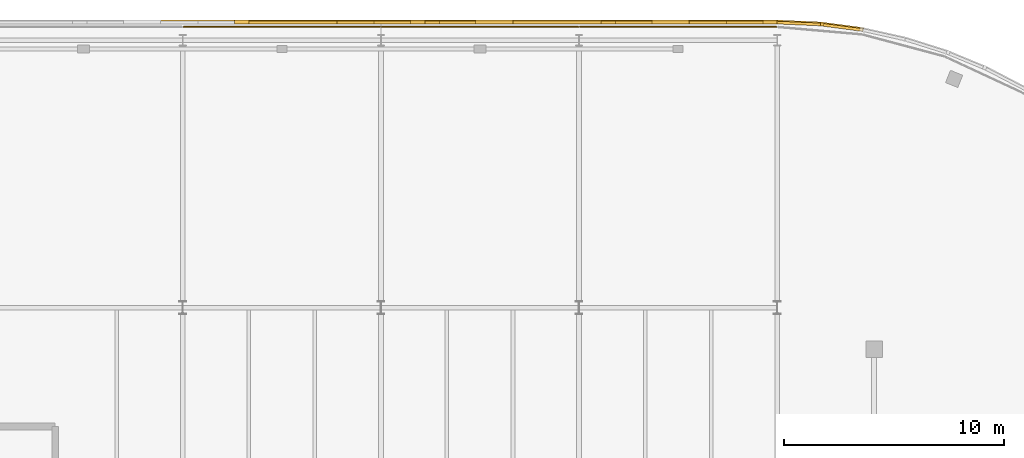
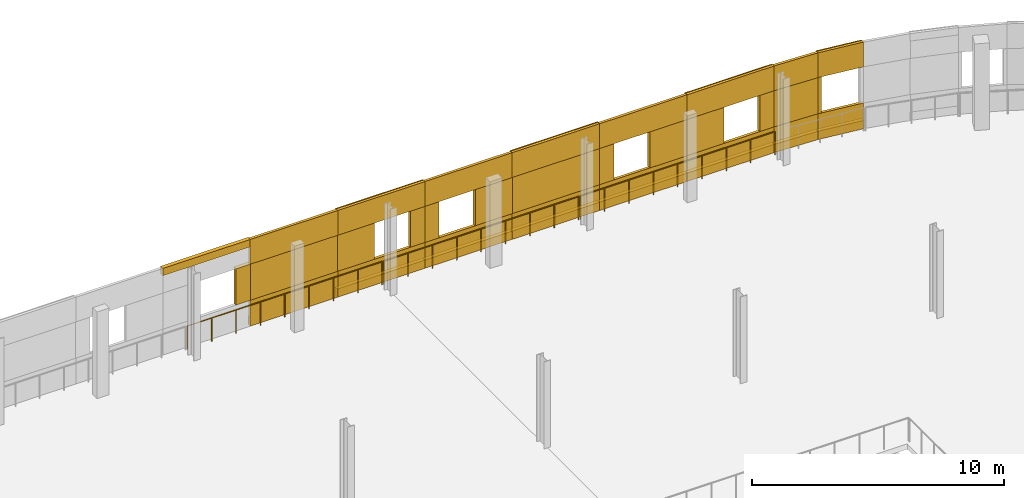
# One storey, part 140 of 140: 42 coverings, 3 railings.
"""IFC4 building model written with IfcOpenShell, lengths in metres."""

from ifc_helpers import new_model, si_unit, direction, frame, origin, origin_2d, place, context, subcontext, project, spatial, rectangle, circle, extrude, material, layer, layer_set, type_object, element, save


model = new_model("IFC4")

# Units and contexts
model_context = context("Model", 3, precision=1e-05, world=origin(), true_north=direction((0.0, 1.0)))
body_context = subcontext(model_context, "Body", "Model", "MODEL_VIEW")
ifc_project = project(units=[si_unit("LENGTHUNIT", "METRE"), si_unit("AREAUNIT", "SQUARE_METRE"), si_unit("VOLUMEUNIT", "CUBIC_METRE"), si_unit("PLANEANGLEUNIT", "RADIAN"), si_unit("MASSUNIT", "GRAM", prefix="KILO")], contexts=[model_context])

# Site, building, storey
site_placement = place(None, origin())
site = spatial("IfcSite", under=ifc_project, at=site_placement, CompositionType="ELEMENT")
building_placement = place(site_placement, origin())
building = spatial("IfcBuilding", under=site, at=building_placement, Name="Deido Ridge Mobility Hub", CompositionType="ELEMENT")
storey_placement = place(building_placement, origin())
storey = spatial("IfcBuildingStorey", under=building, at=storey_placement, Name="L00", CompositionType="ELEMENT", Elevation=0.0)

# Coverings
ifc_material_1 = material(Name="Fired clay brick masonry", Category="masonry")
ifc_layer = layer(ifc_material_1, 0.114990234375, Name="Fired clay brick masonry")
ifc_layer_set = layer_set([ifc_layer], Name="Fired clay brick masonry")
covering_type = type_object("IfcCoveringType", Name="COV-BRK-SCREEN-115", PredefinedType="CLADDING", material=ifc_layer_set)
covering_1_placement = place(storey_placement, frame((119.92724609375, 125.734375, 0.0), z_axis=(0.0, 0.0, 1.0), x_axis=(-0.991442583111, 0.130543496177, 0.0)))
element("IfcCovering", 1, at=covering_1_placement, inside=storey, type_object=covering_type, Name="Open brickwork spandrel course BKS1 (L00)", PredefinedType="CLADDING", context=body_context, shape_type="SweptSolid", body=[
    extrude(rectangle(XDim=1.9619140625, YDim=0.125, at=origin_2d()), origin(), (0.0, 0.0, 1.0), 1.25),
])
covering_2_placement = place(storey_placement, frame((119.930908203125, 125.76171875, 0.0), z_axis=(0.0, 0.0, 1.0), x_axis=(-0.991442583111, 0.130543496177, 0.0)))
element("IfcCovering", 2, at=covering_2_placement, inside=storey, type_object=covering_type, Name="Raised brick relief belt BKS1 (L00)", PredefinedType="CLADDING", context=body_context, shape_type="SweptSolid", body=[
    extrude(rectangle(XDim=1.9619140625, YDim=0.179931640625, at=origin_2d()), origin(), (0.0, 0.0, 1.0), 0.39990234375),
])
covering_3_placement = place(storey_placement, frame((119.92724609375, 125.734375, 3.0), z_axis=(0.0, 0.0, 1.0), x_axis=(-0.991442583111, 0.130543496177, 0.0)))
element("IfcCovering", 3, at=covering_3_placement, inside=storey, type_object=covering_type, Name="Open brickwork lintel course BKS1 (L00)", PredefinedType="CLADDING", context=body_context, shape_type="SweptSolid", body=[
    extrude(rectangle(XDim=1.9619140625, YDim=0.125, at=origin_2d()), origin(), (0.0, 0.0, 1.0), 1.199951171875),
])
covering_4_placement = place(storey_placement, frame((119.930908203125, 125.76171875, 3.83984375), z_axis=(0.0, 0.0, 1.0), x_axis=(-0.991442583111, 0.130543496177, 0.0)))
element("IfcCovering", 4, at=covering_4_placement, inside=storey, type_object=covering_type, Name="Raised brick relief cornice BKS1 (L00)", PredefinedType="CLADDING", context=body_context, shape_type="SweptSolid", body=[
    extrude(rectangle(XDim=1.9619140625, YDim=0.179931640625, at=origin_2d()), origin(), (0.0, 0.0, 1.0), 0.360107421875),
])
covering_5_placement = place(storey_placement, frame((119.03759765625, 125.879150390625, 1.25), z_axis=(0.0, 0.0, 1.0), x_axis=(-0.991442583111, 0.130543496177, 0.0)))
element("IfcCovering", 5, at=covering_5_placement, inside=storey, type_object=covering_type, Name="Curved brick jamb nib BKS1 (L00)", PredefinedType="CLADDING", context=body_context, shape_type="SweptSolid", body=[
    extrude(rectangle(XDim=0.152099609375, YDim=0.179931640625, at=origin_2d()), origin(), (0.0, 0.0, 1.0), 1.75),
])
covering_6_placement = place(storey_placement, frame((117.978271484375, 125.90478515625, 0.0), z_axis=(0.0, 0.0, 1.0), x_axis=(-0.999048982732, 0.043601950678, 0.0)))
element("IfcCovering", 6, at=covering_6_placement, inside=storey, type_object=covering_type, Name="Open brickwork spandrel course BKS1 (L00)", PredefinedType="CLADDING", context=body_context, shape_type="SweptSolid", body=[
    extrude(rectangle(XDim=1.9619140625, YDim=0.125, at=origin_2d()), origin(), (0.0, 0.0, 1.0), 1.25),
])
covering_7_placement = place(storey_placement, frame((117.9794921875, 125.932373046875, 0.0), z_axis=(0.0, 0.0, 1.0), x_axis=(-0.999048982732, 0.043601950678, 0.0)))
element("IfcCovering", 7, at=covering_7_placement, inside=storey, type_object=covering_type, Name="Raised brick relief belt BKS1 (L00)", PredefinedType="CLADDING", context=body_context, shape_type="SweptSolid", body=[
    extrude(rectangle(XDim=1.9619140625, YDim=0.179931640625, at=origin_2d()), origin(), (0.0, 0.0, 1.0), 0.39990234375),
])
covering_8_placement = place(storey_placement, frame((117.978271484375, 125.90478515625, 3.0), z_axis=(0.0, 0.0, 1.0), x_axis=(-0.999048982732, 0.043601950678, 0.0)))
element("IfcCovering", 8, at=covering_8_placement, inside=storey, type_object=covering_type, Name="Open brickwork lintel course BKS1 (L00)", PredefinedType="CLADDING", context=body_context, shape_type="SweptSolid", body=[
    extrude(rectangle(XDim=1.9619140625, YDim=0.125, at=origin_2d()), origin(), (0.0, 0.0, 1.0), 1.199951171875),
])
covering_9_placement = place(storey_placement, frame((117.978271484375, 125.90478515625, 1.25), z_axis=(0.0, 0.0, 1.0), x_axis=(-0.999048982732, 0.043601950678, 0.0)))
element("IfcCovering", 9, at=covering_9_placement, inside=storey, type_object=covering_type, Name="Curved raised brickwork pier BKS1 (L00)", PredefinedType="CLADDING", context=body_context, shape_type="SweptSolid", body=[
    extrude(rectangle(XDim=1.9619140625, YDim=0.125, at=origin_2d()), origin(), (0.0, 0.0, 1.0), 1.75),
])
covering_10_placement = place(storey_placement, frame((115.0, 125.947509765625, 0.0), z_axis=(0.0, 0.0, 1.0), x_axis=(-1.0, 0.0, 0.0)))
element("IfcCovering", 10, at=covering_10_placement, inside=storey, type_object=covering_type, Name="Open brickwork spandrel course BKS1 (L00)", PredefinedType="CLADDING", context=body_context, shape_type="SweptSolid", body=[
    extrude(rectangle(XDim=4.01611328125, YDim=0.125, at=origin_2d()), origin(), (0.0, 0.0, 1.0), 1.25),
])
covering_11_placement = place(storey_placement, frame((115.0, 125.97509765625, 0.0), z_axis=(0.0, 0.0, 1.0), x_axis=(-1.0, 0.0, 0.0)))
element("IfcCovering", 11, at=covering_11_placement, inside=storey, type_object=covering_type, Name="Raised brick relief belt BKS1 (L00)", PredefinedType="CLADDING", context=body_context, shape_type="SweptSolid", body=[
    extrude(rectangle(XDim=4.01611328125, YDim=0.179931640625, at=origin_2d()), origin(), (0.0, 0.0, 1.0), 0.39990234375),
])
covering_12_placement = place(storey_placement, frame((115.0, 125.947509765625, 3.0), z_axis=(0.0, 0.0, 1.0), x_axis=(-1.0, 0.0, 0.0)))
element("IfcCovering", 12, at=covering_12_placement, inside=storey, type_object=covering_type, Name="Open brickwork lintel course BKS1 (L00)", PredefinedType="CLADDING", context=body_context, shape_type="SweptSolid", body=[
    extrude(rectangle(XDim=4.01611328125, YDim=0.125, at=origin_2d()), origin(), (0.0, 0.0, 1.0), 1.199951171875),
])
covering_13_placement = place(storey_placement, frame((115.0, 125.97509765625, 3.83984375), z_axis=(0.0, 0.0, 1.0), x_axis=(-1.0, 0.0, 0.0)))
element("IfcCovering", 13, at=covering_13_placement, inside=storey, type_object=covering_type, Name="Raised brick relief cornice BKS1 (L00)", PredefinedType="CLADDING", context=body_context, shape_type="SweptSolid", body=[
    extrude(rectangle(XDim=4.01611328125, YDim=0.179931640625, at=origin_2d()), origin(), (0.0, 0.0, 1.0), 0.360107421875),
])
covering_14_placement = place(storey_placement, frame((116.672607421875, 125.97509765625, 1.25), z_axis=(0.0, 0.0, 1.0), x_axis=(-1.0, 0.0, 0.0)))
element("IfcCovering", 14, at=covering_14_placement, inside=storey, type_object=covering_type, Name="Open brickwork pier BKS1 (L00)", PredefinedType="CLADDING", context=body_context, shape_type="SweptSolid", body=[
    extrude(rectangle(XDim=0.655029296875, YDim=0.179931640625, at=origin_2d()), origin(), (0.0, 0.0, 1.0), 1.75),
])
covering_15_placement = place(storey_placement, frame((113.847412109375, 125.947509765625, 1.25), z_axis=(0.0, 0.0, 1.0), x_axis=(-1.0, 0.0, 0.0)))
element("IfcCovering", 15, at=covering_15_placement, inside=storey, type_object=covering_type, Name="Open brickwork pier BKS1 (L00)", PredefinedType="CLADDING", context=body_context, shape_type="SweptSolid", body=[
    extrude(rectangle(XDim=1.695068359375, YDim=0.125, at=origin_2d()), origin(), (0.0, 0.0, 1.0), 1.75),
])
covering_16_placement = place(storey_placement, frame((111.0, 125.947509765625, 0.0), z_axis=(0.0, 0.0, 1.0), x_axis=(-1.0, 0.0, 0.0)))
element("IfcCovering", 16, at=covering_16_placement, inside=storey, type_object=covering_type, Name="Open brickwork spandrel course BKS1 (L00)", PredefinedType="CLADDING", context=body_context, shape_type="SweptSolid", body=[
    extrude(rectangle(XDim=4.01611328125, YDim=0.125, at=origin_2d()), origin(), (0.0, 0.0, 1.0), 1.25),
])
covering_17_placement = place(storey_placement, frame((111.0, 125.97509765625, 0.0), z_axis=(0.0, 0.0, 1.0), x_axis=(-1.0, 0.0, 0.0)))
element("IfcCovering", 17, at=covering_17_placement, inside=storey, type_object=covering_type, Name="Raised brick relief belt BKS1 (L00)", PredefinedType="CLADDING", context=body_context, shape_type="SweptSolid", body=[
    extrude(rectangle(XDim=4.01611328125, YDim=0.179931640625, at=origin_2d()), origin(), (0.0, 0.0, 1.0), 0.39990234375),
])
covering_18_placement = place(storey_placement, frame((111.0, 125.947509765625, 3.0), z_axis=(0.0, 0.0, 1.0), x_axis=(-1.0, 0.0, 0.0)))
element("IfcCovering", 18, at=covering_18_placement, inside=storey, type_object=covering_type, Name="Open brickwork lintel course BKS1 (L00)", PredefinedType="CLADDING", context=body_context, shape_type="SweptSolid", body=[
    extrude(rectangle(XDim=4.01611328125, YDim=0.125, at=origin_2d()), origin(), (0.0, 0.0, 1.0), 1.199951171875),
])
covering_19_placement = place(storey_placement, frame((112.152587890625, 125.97509765625, 1.25), z_axis=(0.0, 0.0, 1.0), x_axis=(-1.0, 0.0, 0.0)))
element("IfcCovering", 19, at=covering_19_placement, inside=storey, type_object=covering_type, Name="Open brickwork pier BKS1 (L00)", PredefinedType="CLADDING", context=body_context, shape_type="SweptSolid", body=[
    extrude(rectangle(XDim=1.695068359375, YDim=0.179931640625, at=origin_2d()), origin(), (0.0, 0.0, 1.0), 1.75),
])
covering_20_placement = place(storey_placement, frame((109.327392578125, 125.947509765625, 1.25), z_axis=(0.0, 0.0, 1.0), x_axis=(-1.0, 0.0, 0.0)))
element("IfcCovering", 20, at=covering_20_placement, inside=storey, type_object=covering_type, Name="Open brickwork pier BKS1 (L00)", PredefinedType="CLADDING", context=body_context, shape_type="SweptSolid", body=[
    extrude(rectangle(XDim=0.655029296875, YDim=0.125, at=origin_2d()), origin(), (0.0, 0.0, 1.0), 1.75),
])
covering_21_placement = place(storey_placement, frame((107.0, 125.947509765625, 0.0), z_axis=(0.0, 0.0, 1.0), x_axis=(-1.0, 0.0, 0.0)))
element("IfcCovering", 21, at=covering_21_placement, inside=storey, type_object=covering_type, Name="Open brickwork spandrel course BKS1 (L00)", PredefinedType="CLADDING", context=body_context, shape_type="SweptSolid", body=[
    extrude(rectangle(XDim=4.01611328125, YDim=0.125, at=origin_2d()), origin(), (0.0, 0.0, 1.0), 1.25),
])
covering_22_placement = place(storey_placement, frame((107.0, 125.97509765625, 0.0), z_axis=(0.0, 0.0, 1.0), x_axis=(-1.0, 0.0, 0.0)))
element("IfcCovering", 22, at=covering_22_placement, inside=storey, type_object=covering_type, Name="Raised brick relief belt BKS1 (L00)", PredefinedType="CLADDING", context=body_context, shape_type="SweptSolid", body=[
    extrude(rectangle(XDim=4.01611328125, YDim=0.179931640625, at=origin_2d()), origin(), (0.0, 0.0, 1.0), 0.39990234375),
])
covering_23_placement = place(storey_placement, frame((107.0, 125.947509765625, 3.0), z_axis=(0.0, 0.0, 1.0), x_axis=(-1.0, 0.0, 0.0)))
element("IfcCovering", 23, at=covering_23_placement, inside=storey, type_object=covering_type, Name="Open brickwork lintel course BKS1 (L00)", PredefinedType="CLADDING", context=body_context, shape_type="SweptSolid", body=[
    extrude(rectangle(XDim=4.01611328125, YDim=0.125, at=origin_2d()), origin(), (0.0, 0.0, 1.0), 1.199951171875),
])
covering_24_placement = place(storey_placement, frame((107.0, 125.97509765625, 3.83984375), z_axis=(0.0, 0.0, 1.0), x_axis=(-1.0, 0.0, 0.0)))
element("IfcCovering", 24, at=covering_24_placement, inside=storey, type_object=covering_type, Name="Raised brick relief cornice BKS1 (L00)", PredefinedType="CLADDING", context=body_context, shape_type="SweptSolid", body=[
    extrude(rectangle(XDim=4.01611328125, YDim=0.179931640625, at=origin_2d()), origin(), (0.0, 0.0, 1.0), 0.360107421875),
])
covering_25_placement = place(storey_placement, frame((107.0, 125.97509765625, 1.25), z_axis=(0.0, 0.0, 1.0), x_axis=(-1.0, 0.0, 0.0)))
element("IfcCovering", 25, at=covering_25_placement, inside=storey, type_object=covering_type, Name="Raised brick relief panel BKS1 (L00)", PredefinedType="CLADDING", context=body_context, shape_type="SweptSolid", body=[
    extrude(rectangle(XDim=4.008056640625, YDim=0.179931640625, at=origin_2d()), origin(), (0.0, 0.0, 1.0), 1.75),
])
covering_26_placement = place(storey_placement, frame((103.0, 125.947509765625, 0.0), z_axis=(0.0, 0.0, 1.0), x_axis=(-1.0, 0.0, 0.0)))
element("IfcCovering", 26, at=covering_26_placement, inside=storey, type_object=covering_type, Name="Open brickwork spandrel course BKS1 (L00)", PredefinedType="CLADDING", context=body_context, shape_type="SweptSolid", body=[
    extrude(rectangle(XDim=4.01611328125, YDim=0.125, at=origin_2d()), origin(), (0.0, 0.0, 1.0), 1.25),
])
covering_27_placement = place(storey_placement, frame((103.0, 125.97509765625, 0.0), z_axis=(0.0, 0.0, 1.0), x_axis=(-1.0, 0.0, 0.0)))
element("IfcCovering", 27, at=covering_27_placement, inside=storey, type_object=covering_type, Name="Raised brick relief belt BKS1 (L00)", PredefinedType="CLADDING", context=body_context, shape_type="SweptSolid", body=[
    extrude(rectangle(XDim=4.01611328125, YDim=0.179931640625, at=origin_2d()), origin(), (0.0, 0.0, 1.0), 0.39990234375),
])
covering_28_placement = place(storey_placement, frame((103.0, 125.947509765625, 3.0), z_axis=(0.0, 0.0, 1.0), x_axis=(-1.0, 0.0, 0.0)))
element("IfcCovering", 28, at=covering_28_placement, inside=storey, type_object=covering_type, Name="Open brickwork lintel course BKS1 (L00)", PredefinedType="CLADDING", context=body_context, shape_type="SweptSolid", body=[
    extrude(rectangle(XDim=4.01611328125, YDim=0.125, at=origin_2d()), origin(), (0.0, 0.0, 1.0), 1.199951171875),
])
covering_29_placement = place(storey_placement, frame((104.152587890625, 125.97509765625, 1.25), z_axis=(0.0, 0.0, 1.0), x_axis=(-1.0, 0.0, 0.0)))
element("IfcCovering", 29, at=covering_29_placement, inside=storey, type_object=covering_type, Name="Open brickwork pier BKS1 (L00)", PredefinedType="CLADDING", context=body_context, shape_type="SweptSolid", body=[
    extrude(rectangle(XDim=1.695068359375, YDim=0.179931640625, at=origin_2d()), origin(), (0.0, 0.0, 1.0), 1.75),
])
covering_30_placement = place(storey_placement, frame((101.327392578125, 125.947509765625, 1.25), z_axis=(0.0, 0.0, 1.0), x_axis=(-1.0, 0.0, 0.0)))
element("IfcCovering", 30, at=covering_30_placement, inside=storey, type_object=covering_type, Name="Open brickwork pier BKS1 (L00)", PredefinedType="CLADDING", context=body_context, shape_type="SweptSolid", body=[
    extrude(rectangle(XDim=0.655029296875, YDim=0.125, at=origin_2d()), origin(), (0.0, 0.0, 1.0), 1.75),
])
covering_31_placement = place(storey_placement, frame((99.0, 125.947509765625, 0.0), z_axis=(0.0, 0.0, 1.0), x_axis=(-1.0, 0.0, 0.0)))
element("IfcCovering", 31, at=covering_31_placement, inside=storey, type_object=covering_type, Name="Open brickwork spandrel course BKS1 (L00)", PredefinedType="CLADDING", context=body_context, shape_type="SweptSolid", body=[
    extrude(rectangle(XDim=4.01611328125, YDim=0.125, at=origin_2d()), origin(), (0.0, 0.0, 1.0), 1.25),
])
covering_32_placement = place(storey_placement, frame((99.0, 125.97509765625, 0.0), z_axis=(0.0, 0.0, 1.0), x_axis=(-1.0, 0.0, 0.0)))
element("IfcCovering", 32, at=covering_32_placement, inside=storey, type_object=covering_type, Name="Raised brick relief belt BKS1 (L00)", PredefinedType="CLADDING", context=body_context, shape_type="SweptSolid", body=[
    extrude(rectangle(XDim=4.01611328125, YDim=0.179931640625, at=origin_2d()), origin(), (0.0, 0.0, 1.0), 0.39990234375),
])
covering_33_placement = place(storey_placement, frame((99.0, 125.947509765625, 3.0), z_axis=(0.0, 0.0, 1.0), x_axis=(-1.0, 0.0, 0.0)))
element("IfcCovering", 33, at=covering_33_placement, inside=storey, type_object=covering_type, Name="Open brickwork lintel course BKS1 (L00)", PredefinedType="CLADDING", context=body_context, shape_type="SweptSolid", body=[
    extrude(rectangle(XDim=4.01611328125, YDim=0.125, at=origin_2d()), origin(), (0.0, 0.0, 1.0), 1.199951171875),
])
covering_34_placement = place(storey_placement, frame((99.0, 125.97509765625, 3.83984375), z_axis=(0.0, 0.0, 1.0), x_axis=(-1.0, 0.0, 0.0)))
element("IfcCovering", 34, at=covering_34_placement, inside=storey, type_object=covering_type, Name="Raised brick relief cornice BKS1 (L00)", PredefinedType="CLADDING", context=body_context, shape_type="SweptSolid", body=[
    extrude(rectangle(XDim=4.01611328125, YDim=0.179931640625, at=origin_2d()), origin(), (0.0, 0.0, 1.0), 0.360107421875),
])
covering_35_placement = place(storey_placement, frame((100.672607421875, 125.97509765625, 1.25), z_axis=(0.0, 0.0, 1.0), x_axis=(-1.0, 0.0, 0.0)))
element("IfcCovering", 35, at=covering_35_placement, inside=storey, type_object=covering_type, Name="Open brickwork pier BKS1 (L00)", PredefinedType="CLADDING", context=body_context, shape_type="SweptSolid", body=[
    extrude(rectangle(XDim=0.655029296875, YDim=0.179931640625, at=origin_2d()), origin(), (0.0, 0.0, 1.0), 1.75),
])
covering_36_placement = place(storey_placement, frame((97.847412109375, 125.947509765625, 1.25), z_axis=(0.0, 0.0, 1.0), x_axis=(-1.0, 0.0, 0.0)))
element("IfcCovering", 36, at=covering_36_placement, inside=storey, type_object=covering_type, Name="Open brickwork pier BKS1 (L00)", PredefinedType="CLADDING", context=body_context, shape_type="SweptSolid", body=[
    extrude(rectangle(XDim=1.695068359375, YDim=0.125, at=origin_2d()), origin(), (0.0, 0.0, 1.0), 1.75),
])
covering_37_placement = place(storey_placement, frame((95.0, 125.947509765625, 0.0), z_axis=(0.0, 0.0, 1.0), x_axis=(-1.0, 0.0, 0.0)))
element("IfcCovering", 37, at=covering_37_placement, inside=storey, type_object=covering_type, Name="Open brickwork spandrel course BKS1 (L00)", PredefinedType="CLADDING", context=body_context, shape_type="SweptSolid", body=[
    extrude(rectangle(XDim=4.01611328125, YDim=0.125, at=origin_2d()), origin(), (0.0, 0.0, 1.0), 1.25),
])
covering_38_placement = place(storey_placement, frame((95.0, 125.97509765625, 0.0), z_axis=(0.0, 0.0, 1.0), x_axis=(-1.0, 0.0, 0.0)))
element("IfcCovering", 38, at=covering_38_placement, inside=storey, type_object=covering_type, Name="Raised brick relief belt BKS1 (L00)", PredefinedType="CLADDING", context=body_context, shape_type="SweptSolid", body=[
    extrude(rectangle(XDim=4.01611328125, YDim=0.179931640625, at=origin_2d()), origin(), (0.0, 0.0, 1.0), 0.39990234375),
])
covering_39_placement = place(storey_placement, frame((95.0, 125.947509765625, 3.0), z_axis=(0.0, 0.0, 1.0), x_axis=(-1.0, 0.0, 0.0)))
element("IfcCovering", 39, at=covering_39_placement, inside=storey, type_object=covering_type, Name="Open brickwork lintel course BKS1 (L00)", PredefinedType="CLADDING", context=body_context, shape_type="SweptSolid", body=[
    extrude(rectangle(XDim=4.01611328125, YDim=0.125, at=origin_2d()), origin(), (0.0, 0.0, 1.0), 1.199951171875),
])
covering_40_placement = place(storey_placement, frame((95.0, 125.97509765625, 1.25), z_axis=(0.0, 0.0, 1.0), x_axis=(-1.0, 0.0, 0.0)))
element("IfcCovering", 40, at=covering_40_placement, inside=storey, type_object=covering_type, Name="Raised brick relief panel BKS1 (L00)", PredefinedType="CLADDING", context=body_context, shape_type="SweptSolid", body=[
    extrude(rectangle(XDim=4.008056640625, YDim=0.179931640625, at=origin_2d()), origin(), (0.0, 0.0, 1.0), 1.75),
])
covering_41_placement = place(storey_placement, frame((91.0, 125.97509765625, 3.83984375), z_axis=(0.0, 0.0, 1.0), x_axis=(-1.0, 0.0, 0.0)))
element("IfcCovering", 41, at=covering_41_placement, inside=storey, type_object=covering_type, Name="Raised brick relief cornice BKS1 (L00)", PredefinedType="CLADDING", context=body_context, shape_type="SweptSolid", body=[
    extrude(rectangle(XDim=4.01611328125, YDim=0.179931640625, at=origin_2d()), origin(), (0.0, 0.0, 1.0), 0.360107421875),
])
covering_42_placement = place(storey_placement, frame((92.672607421875, 125.97509765625, 1.25), z_axis=(0.0, 0.0, 1.0), x_axis=(-1.0, 0.0, 0.0)))
element("IfcCovering", 42, at=covering_42_placement, inside=storey, type_object=covering_type, Name="Open brickwork pier BKS1 (L00)", PredefinedType="CLADDING", context=body_context, shape_type="SweptSolid", body=[
    extrude(rectangle(XDim=0.655029296875, YDim=0.179931640625, at=origin_2d()), origin(), (0.0, 0.0, 1.0), 1.75),
])

# Railings
ifc_material_2 = material(Name="Galvanised steel work", Category="steel")
railing_type = type_object("IfcRailingType", Name="RL-GRD-EXT-1150", PredefinedType="GUARDRAIL", material=ifc_material_2)
for number, where, name in (
    (43, (116.9599609375, 125.75, 0.0), "Parking drum perimeter guard (L00)"),
    (44, (107.9599609375, 125.75, 0.0), "Parking drum perimeter guard (L00)"),
    (45, (98.9599609375, 125.75, 0.0), "Parking drum perimeter guard (L00)"),
):
    element("IfcRailing", number, at=place(storey_placement, frame(where)), inside=storey, type_object=railing_type, Name=name, PredefinedType="GUARDRAIL", context=body_context, shape_type="SweptSolid", body=[
        extrude(circle(Radius=0.02392578125, at=origin_2d()), frame((0.0, 0.0, 1.1259765625), z_axis=(-1.0, 0.0, 0.0), x_axis=(0.0, -1.0, 0.0)), (0.0, 0.0, 1.0), 8.919921875),
        extrude(circle(Radius=0.02099609375, at=origin_2d()), origin(), (0.0, 0.0, 1.0), 1.101806640625),
        extrude(circle(Radius=0.02099609375, at=origin_2d()), frame((-1.114990234375, 0.0, 0.0)), (0.0, 0.0, 1.0), 1.101806640625),
        extrude(circle(Radius=0.02099609375, at=origin_2d()), frame((-2.22998046875, 0.0, 0.0)), (0.0, 0.0, 1.0), 1.101806640625),
        extrude(circle(Radius=0.02099609375, at=origin_2d()), frame((-3.344970703125, 0.0, 0.0)), (0.0, 0.0, 1.0), 1.101806640625),
        extrude(circle(Radius=0.02099609375, at=origin_2d()), frame((-4.4599609375, 0.0, 0.0)), (0.0, 0.0, 1.0), 1.101806640625),
        extrude(circle(Radius=0.02099609375, at=origin_2d()), frame((-5.574951171875, 0.0, 0.0)), (0.0, 0.0, 1.0), 1.101806640625),
        extrude(circle(Radius=0.02099609375, at=origin_2d()), frame((-6.68994140625, 0.0, 0.0)), (0.0, 0.0, 1.0), 1.101806640625),
        extrude(circle(Radius=0.02099609375, at=origin_2d()), frame((-7.804931640625, 0.0, 0.0)), (0.0, 0.0, 1.0), 1.101806640625),
        extrude(circle(Radius=0.02099609375, at=origin_2d()), frame((-8.919921875, 0.0, 0.0)), (0.0, 0.0, 1.0), 1.101806640625),
    ])

save(model, "model.ifc")
